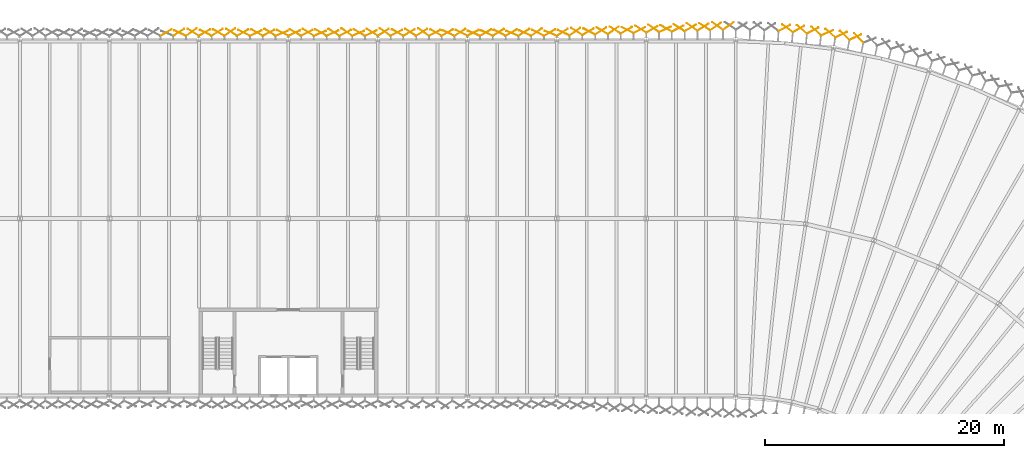
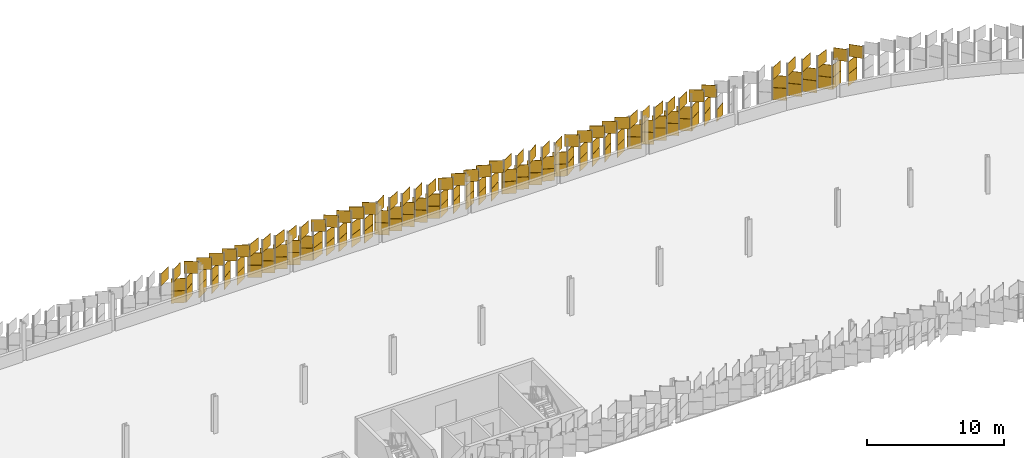
# One storey, part 197 of 198: 149 coverings.
"""IFC4 building model written with IfcOpenShell, lengths in metres."""

from ifc_helpers import new_model, si_unit, direction, frame, origin, origin_2d, place, context, subcontext, project, spatial, rectangle, extrude, material, layer, layer_set, type_object, element, save


model = new_model("IFC4")

# Units and contexts
model_context = context("Model", 3, precision=1e-05, world=origin(), true_north=direction((0.0, 1.0)))
body_context = subcontext(model_context, "Body", "Model", "MODEL_VIEW")
ifc_project = project(units=[si_unit("LENGTHUNIT", "METRE"), si_unit("AREAUNIT", "SQUARE_METRE"), si_unit("VOLUMEUNIT", "CUBIC_METRE"), si_unit("PLANEANGLEUNIT", "RADIAN"), si_unit("MASSUNIT", "GRAM", prefix="KILO")], contexts=[model_context])

# Site, building, storey
site_placement = place(None, origin())
site = spatial("IfcSite", under=ifc_project, at=site_placement, CompositionType="ELEMENT")
building_placement = place(site_placement, origin())
building = spatial("IfcBuilding", under=site, at=building_placement, Name="Parallax Yard Mobility Hub", CompositionType="ELEMENT")
storey_placement = place(building_placement, frame((0.0, 0.0, 6.60009765625)))
storey = spatial("IfcBuildingStorey", under=building, at=storey_placement, Name="L02", CompositionType="ELEMENT", Elevation=6.60009765625)

# Coverings
ifc_material_1 = material(Name="Aluminium panel, champagne finish", Category="aluminium")
ifc_layer_1 = layer(ifc_material_1, 0.030029296875)
ifc_layer_set_1 = layer_set([ifc_layer_1], Name="Skin panel 22.5 degree turn, champagne finish")
covering_type_1 = type_object("IfcCoveringType", Name="Skin panel 22.5 degree turn, champagne finish", PredefinedType="CLADDING", material=ifc_layer_set_1)
for number, where, z_axis, x_axis, name in (
    (1, (156.986083984375, 143.012939453125, 1.119873046875), (0.0, 0.0, 1.0), (-0.923879532511, 0.382683432365, 0.0), "Skin panel 22.5 bay 53.1 row 2 level L02"),
    (2, (153.771484375, 143.012939453125, 1.119873046875), (0.0, 0.0, 1.0), (-0.923879532511, 0.382683432365, 0.0), "Skin panel 22.5 bay 53.4 row 2 level L02"),
    (3, (150.556884765625, 143.012939453125, 2.219970703125), (0.0, 0.0, 1.0), (-0.923879532511, 0.382683432365, 0.0), "Skin panel 22.5 bay 53.7 row 3 level L02"),
    (4, (140.869140625, 143.012939453125, 1.119873046875), (0.0, 0.0, 1.0), (0.923879532511, 0.382683432365, 0.0), "Skin panel 22.5 bay 55.2 row 2 level L02"),
    (5, (137.654541015625, 143.012939453125, 1.119873046875), (0.0, 0.0, 1.0), (0.923879532511, 0.382683432365, 0.0), "Skin panel 22.5 bay 55.5 row 2 level L02"),
    (6, (134.43994140625, 143.012939453125, 2.219970703125), (0.0, 0.0, 1.0), (0.923879532511, 0.382683432365, 0.0), "Skin panel 22.5 bay 56.1 row 3 level L02"),
):
    element("IfcCovering", number, at=place(storey_placement, frame(where, z_axis=z_axis, x_axis=x_axis)), inside=storey, type_object=covering_type_1, Name=name, ObjectType="SCREEN", PredefinedType="CLADDING", context=body_context, shape_type="SweptSolid", body=[
        extrude(rectangle(XDim=1.080078125, YDim=0.030029296875, at=origin_2d()), origin(), (0.0, 0.0, 1.0), 1.080078125),
    ])
ifc_material_2 = material(Name="Aluminium panel, light oak finish", Category="aluminium")
ifc_layer_2 = layer(ifc_material_2, 0.030029296875)
ifc_layer_set_2 = layer_set([ifc_layer_2], Name="Skin panel 22.5 degree turn, oak finish")
covering_type_2 = type_object("IfcCoveringType", Name="Skin panel 22.5 degree turn, oak finish", PredefinedType="CLADDING", material=ifc_layer_set_2)
for number, where, z_axis, x_axis, name in (
    (7, (156.986083984375, 143.012939453125, 0.019775390625), (0.0, 0.0, 1.0), (-0.923879532511, 0.382683432365, 0.0), "Skin panel 22.5 bay 53.1 row 1 level L02"),
    (8, (153.771484375, 143.012939453125, 0.019775390625), (0.0, 0.0, 1.0), (-0.923879532511, 0.382683432365, 0.0), "Skin panel 22.5 bay 53.4 row 1 level L02"),
    (9, (140.869140625, 143.012939453125, 0.019775390625), (0.0, 0.0, 1.0), (0.923879532511, 0.382683432365, 0.0), "Skin panel 22.5 bay 55.2 row 1 level L02"),
    (10, (137.654541015625, 143.012939453125, 0.019775390625), (0.0, 0.0, 1.0), (0.923879532511, 0.382683432365, 0.0), "Skin panel 22.5 bay 55.5 row 1 level L02"),
):
    element("IfcCovering", number, at=place(storey_placement, frame(where, z_axis=z_axis, x_axis=x_axis)), inside=storey, type_object=covering_type_2, Name=name, ObjectType="SCREEN", PredefinedType="CLADDING", context=body_context, shape_type="SweptSolid", body=[
        extrude(rectangle(XDim=1.080078125, YDim=0.030029296875, at=origin_2d()), origin(), (0.0, 0.0, 1.0), 1.080078125),
    ])
ifc_layer_3 = layer(ifc_material_1, 0.030029296875)
ifc_layer_set_3 = layer_set([ifc_layer_3], Name="Skin panel 25 degree turn, champagne finish")
covering_type_3 = type_object("IfcCoveringType", Name="Skin panel 25 degree turn, champagne finish", PredefinedType="CLADDING", material=ifc_layer_set_3)
for number, where, z_axis, x_axis, name in (
    (11, (166.576904296875, 143.346435546875, 2.219970703125), (0.0, 0.0, 1.0), (0.906307787037, 0.422618261741, 0.0), "Skin panel 25 bay 51.6 row 3 level L02"),
    (12, (158.0673828125, 143.06591796875, 1.119873046875), (0.0, 0.0, 1.0), (-0.906307787037, 0.422618261741, 0.0), "Skin panel 25 bay 52.7 row 2 level L02"),
    (13, (154.852783203125, 143.03515625, 1.119873046875), (0.0, 0.0, 1.0), (-0.906307787037, 0.422618261741, 0.0), "Skin panel 25 bay 53.3 row 2 level L02"),
    (14, (151.63818359375, 143.03515625, 2.219970703125), (0.0, 0.0, 1.0), (-0.906307787037, 0.422618261741, 0.0), "Skin panel 25 bay 53.6 row 3 level L02"),
    (15, (148.42333984375, 143.03515625, 2.219970703125), (0.0, 0.0, 1.0), (-0.906307787037, 0.422618261741, 0.0), "Skin panel 25 bay 54.2 row 3 level L02"),
    (16, (141.930908203125, 143.03515625, 1.119873046875), (0.0, 0.0, 1.0), (0.906307787037, 0.422618261741, 0.0), "Skin panel 25 bay 55.1 row 2 level L02"),
    (17, (138.71630859375, 143.03515625, 1.119873046875), (0.0, 0.0, 1.0), (0.906307787037, 0.422618261741, 0.0), "Skin panel 25 bay 55.4 row 2 level L02"),
    (18, (135.501708984375, 143.03515625, 2.219970703125), (0.0, 0.0, 1.0), (0.906307787037, 0.422618261741, 0.0), "Skin panel 25 bay 55.7 row 3 level L02"),
    (19, (132.287109375, 143.03515625, 2.219970703125), (0.0, 0.0, 1.0), (0.906307787037, 0.422618261741, 0.0), "Skin panel 25 bay 56.3 row 3 level L02"),
    (20, (125.9208984375, 143.03515625, 1.119873046875), (0.0, 0.0, 1.0), (-0.906307787037, 0.422618261741, 0.0), "Skin panel 25 bay 57.2 row 2 level L02"),
):
    element("IfcCovering", number, at=place(storey_placement, frame(where, z_axis=z_axis, x_axis=x_axis)), inside=storey, type_object=covering_type_3, Name=name, ObjectType="SCREEN", PredefinedType="CLADDING", context=body_context, shape_type="SweptSolid", body=[
        extrude(rectangle(XDim=1.080078125, YDim=0.030029296875, at=origin_2d()), origin(), (0.0, 0.0, 1.0), 1.080078125),
    ])
ifc_layer_4 = layer(ifc_material_2, 0.030029296875)
ifc_layer_set_4 = layer_set([ifc_layer_4], Name="Skin panel 25 degree turn, oak finish")
covering_type_4 = type_object("IfcCoveringType", Name="Skin panel 25 degree turn, oak finish", PredefinedType="CLADDING", material=ifc_layer_set_4)
for number, where, z_axis, x_axis, name in (
    (21, (158.0673828125, 143.06591796875, 0.019775390625), (0.0, 0.0, 1.0), (-0.906307787037, 0.422618261741, 0.0), "Skin panel 25 bay 52.7 row 1 level L02"),
    (22, (154.852783203125, 143.03515625, 0.019775390625), (0.0, 0.0, 1.0), (-0.906307787037, 0.422618261741, 0.0), "Skin panel 25 bay 53.3 row 1 level L02"),
    (23, (141.930908203125, 143.03515625, 0.019775390625), (0.0, 0.0, 1.0), (0.906307787037, 0.422618261741, 0.0), "Skin panel 25 bay 55.1 row 1 level L02"),
    (24, (138.71630859375, 143.03515625, 0.019775390625), (0.0, 0.0, 1.0), (0.906307787037, 0.422618261741, 0.0), "Skin panel 25 bay 55.4 row 1 level L02"),
    (25, (125.9208984375, 143.03515625, 0.019775390625), (0.0, 0.0, 1.0), (-0.906307787037, 0.422618261741, 0.0), "Skin panel 25 bay 57.2 row 1 level L02"),
):
    element("IfcCovering", number, at=place(storey_placement, frame(where, z_axis=z_axis, x_axis=x_axis)), inside=storey, type_object=covering_type_4, Name=name, ObjectType="SCREEN", PredefinedType="CLADDING", context=body_context, shape_type="SweptSolid", body=[
        extrude(rectangle(XDim=1.080078125, YDim=0.030029296875, at=origin_2d()), origin(), (0.0, 0.0, 1.0), 1.080078125),
    ])
ifc_layer_5 = layer(ifc_material_1, 0.030029296875)
ifc_layer_set_5 = layer_set([ifc_layer_5], Name="Skin panel 27.5 degree turn, champagne finish")
covering_type_5 = type_object("IfcCoveringType", Name="Skin panel 27.5 degree turn, champagne finish", PredefinedType="CLADDING", material=ifc_layer_set_5)
for number, where, z_axis, x_axis, name in (
    (26, (167.6376953125, 143.408203125, 2.219970703125), (0.0, 0.0, 1.0), (0.887010833178, 0.461748613235, 0.0), "Skin panel 27.5 bay 51.5 row 3 level L02"),
    (27, (164.4228515625, 143.2880859375, 2.219970703125), (0.0, 0.0, 1.0), (0.887010833178, 0.461748613235, 0.0), "Skin panel 27.5 bay 52.1 row 3 level L02"),
    (28, (163.435791015625, 143.2880859375, 2.219970703125), (0.0, 0.0, 1.0), (-0.887010833178, 0.461748613235, 0.0), "Skin panel 27.5 bay 52.2 row 3 level L02"),
    (29, (160.22119140625, 143.167724609375, 2.219970703125), (0.0, 0.0, 1.0), (-0.887010833178, 0.461748613235, 0.0), "Skin panel 27.5 bay 52.5 row 3 level L02"),
    (30, (155.93505859375, 143.056884765625, 1.119873046875), (0.0, 0.0, 1.0), (-0.887010833178, 0.461748613235, 0.0), "Skin panel 27.5 bay 53.2 row 2 level L02"),
    (31, (152.720458984375, 143.056884765625, 2.219970703125), (0.0, 0.0, 1.0), (-0.887010833178, 0.461748613235, 0.0), "Skin panel 27.5 bay 53.5 row 3 level L02"),
    (32, (150.49267578125, 143.056884765625, 1.119873046875), (0.0, 0.0, 1.0), (0.887010833178, 0.461748613235, 0.0), "Skin panel 27.5 bay 53.7 row 2 level L02"),
    (33, (149.505615234375, 143.056884765625, 2.219970703125), (0.0, 0.0, 1.0), (-0.887010833178, 0.461748613235, 0.0), "Skin panel 27.5 bay 54.1 row 3 level L02"),
    (34, (147.278076171875, 143.056884765625, 2.219970703125), (0.0, 0.0, 1.0), (0.887010833178, 0.461748613235, 0.0), "Skin panel 27.5 bay 54.3 row 3 level L02"),
    (35, (144.0634765625, 143.056884765625, 2.219970703125), (0.0, 0.0, 1.0), (0.887010833178, 0.461748613235, 0.0), "Skin panel 27.5 bay 54.6 row 3 level L02"),
    (36, (139.777099609375, 143.056884765625, 1.119873046875), (0.0, 0.0, 1.0), (0.887010833178, 0.461748613235, 0.0), "Skin panel 27.5 bay 55.3 row 2 level L02"),
    (37, (136.5625, 143.056884765625, 2.219970703125), (0.0, 0.0, 1.0), (0.887010833178, 0.461748613235, 0.0), "Skin panel 27.5 bay 55.6 row 3 level L02"),
    (38, (134.50390625, 143.056884765625, 1.119873046875), (0.0, 0.0, 1.0), (-0.887010833178, 0.461748613235, 0.0), "Skin panel 27.5 bay 56.1 row 2 level L02"),
    (39, (133.347900390625, 143.056884765625, 2.219970703125), (0.0, 0.0, 1.0), (0.887010833178, 0.461748613235, 0.0), "Skin panel 27.5 bay 56.2 row 3 level L02"),
    (40, (131.289306640625, 143.056884765625, 2.219970703125), (0.0, 0.0, 1.0), (-0.887010833178, 0.461748613235, 0.0), "Skin panel 27.5 bay 56.4 row 3 level L02"),
    (41, (128.07470703125, 143.056884765625, 2.219970703125), (0.0, 0.0, 1.0), (-0.887010833178, 0.461748613235, 0.0), "Skin panel 27.5 bay 56.7 row 3 level L02"),
):
    element("IfcCovering", number, at=place(storey_placement, frame(where, z_axis=z_axis, x_axis=x_axis)), inside=storey, type_object=covering_type_5, Name=name, ObjectType="SCREEN", PredefinedType="CLADDING", context=body_context, shape_type="SweptSolid", body=[
        extrude(rectangle(XDim=1.080078125, YDim=0.030029296875, at=origin_2d()), origin(), (0.0, 0.0, 1.0), 1.080078125),
    ])
ifc_layer_6 = layer(ifc_material_2, 0.030029296875)
ifc_layer_set_6 = layer_set([ifc_layer_6], Name="Skin panel 27.5 degree turn, oak finish")
covering_type_6 = type_object("IfcCoveringType", Name="Skin panel 27.5 degree turn, oak finish", PredefinedType="CLADDING", material=ifc_layer_set_6)
for number, where, z_axis, x_axis, name in (
    (42, (155.93505859375, 143.056884765625, 0.019775390625), (0.0, 0.0, 1.0), (-0.887010833178, 0.461748613235, 0.0), "Skin panel 27.5 bay 53.2 row 1 level L02"),
    (43, (150.49267578125, 143.056884765625, 0.019775390625), (0.0, 0.0, 1.0), (0.887010833178, 0.461748613235, 0.0), "Skin panel 27.5 bay 53.7 row 1 level L02"),
    (44, (139.777099609375, 143.056884765625, 0.019775390625), (0.0, 0.0, 1.0), (0.887010833178, 0.461748613235, 0.0), "Skin panel 27.5 bay 55.3 row 1 level L02"),
    (45, (134.50390625, 143.056884765625, 0.019775390625), (0.0, 0.0, 1.0), (-0.887010833178, 0.461748613235, 0.0), "Skin panel 27.5 bay 56.1 row 1 level L02"),
):
    element("IfcCovering", number, at=place(storey_placement, frame(where, z_axis=z_axis, x_axis=x_axis)), inside=storey, type_object=covering_type_6, Name=name, ObjectType="SCREEN", PredefinedType="CLADDING", context=body_context, shape_type="SweptSolid", body=[
        extrude(rectangle(XDim=1.080078125, YDim=0.030029296875, at=origin_2d()), origin(), (0.0, 0.0, 1.0), 1.080078125),
    ])
ifc_layer_7 = layer(ifc_material_1, 0.030029296875)
ifc_layer_set_7 = layer_set([ifc_layer_7], Name="Skin panel 30 degree turn, champagne finish")
covering_type_7 = type_object("IfcCoveringType", Name="Skin panel 30 degree turn, champagne finish", PredefinedType="CLADDING", material=ifc_layer_set_7)
for number, where, z_axis, x_axis, name in (
    (46, (168.697509765625, 143.4697265625, 2.219970703125), (0.0, 0.0, 1.0), (0.866025403784, 0.5, 0.0), "Skin panel 30 bay 51.4 row 3 level L02"),
    (47, (166.662353515625, 143.4296875, 1.119873046875), (0.0, 0.0, 1.0), (-0.866025403784, 0.5, 0.0), "Skin panel 30 bay 51.6 row 2 level L02"),
    (48, (165.48291015625, 143.349365234375, 2.219970703125), (0.0, 0.0, 1.0), (0.866025403784, 0.5, 0.0), "Skin panel 30 bay 51.7 row 3 level L02"),
    (49, (163.339599609375, 143.269287109375, 1.119873046875), (0.0, 0.0, 1.0), (0.866025403784, 0.5, 0.0), "Skin panel 30 bay 52.2 row 2 level L02"),
    (50, (161.304443359375, 143.229248046875, 2.219970703125), (0.0, 0.0, 1.0), (-0.866025403784, 0.5, 0.0), "Skin panel 30 bay 52.4 row 3 level L02"),
    (51, (160.125, 143.14892578125, 1.119873046875), (0.0, 0.0, 1.0), (0.866025403784, 0.5, 0.0), "Skin panel 30 bay 52.5 row 2 level L02"),
    (52, (156.910400390625, 143.078125, 2.219970703125), (0.0, 0.0, 1.0), (0.866025403784, 0.5, 0.0), "Skin panel 30 bay 53.1 row 3 level L02"),
    (53, (153.69580078125, 143.078125, 2.219970703125), (0.0, 0.0, 1.0), (0.866025403784, 0.5, 0.0), "Skin panel 30 bay 53.4 row 3 level L02"),
    (54, (151.552490234375, 143.078125, 1.119873046875), (0.0, 0.0, 1.0), (0.866025403784, 0.5, 0.0), "Skin panel 30 bay 53.6 row 2 level L02"),
    (55, (148.337890625, 143.078125, 1.119873046875), (0.0, 0.0, 1.0), (0.866025403784, 0.5, 0.0), "Skin panel 30 bay 54.2 row 2 level L02"),
    (56, (147.374267578125, 143.078125, 1.119873046875), (0.0, 0.0, 1.0), (-0.866025403784, 0.5, 0.0), "Skin panel 30 bay 54.3 row 2 level L02"),
    (57, (145.123291015625, 143.078125, 2.219970703125), (0.0, 0.0, 1.0), (0.866025403784, 0.5, 0.0), "Skin panel 30 bay 54.5 row 3 level L02"),
    (58, (144.15966796875, 143.078125, 1.119873046875), (0.0, 0.0, 1.0), (-0.866025403784, 0.5, 0.0), "Skin panel 30 bay 54.6 row 2 level L02"),
    (59, (140.94482421875, 143.078125, 2.219970703125), (0.0, 0.0, 1.0), (-0.866025403784, 0.5, 0.0), "Skin panel 30 bay 55.2 row 3 level L02"),
    (60, (137.730224609375, 143.078125, 2.219970703125), (0.0, 0.0, 1.0), (-0.866025403784, 0.5, 0.0), "Skin panel 30 bay 55.5 row 3 level L02"),
    (61, (135.587158203125, 143.078125, 1.119873046875), (0.0, 0.0, 1.0), (-0.866025403784, 0.5, 0.0), "Skin panel 30 bay 55.7 row 2 level L02"),
    (62, (132.37255859375, 143.078125, 1.119873046875), (0.0, 0.0, 1.0), (-0.866025403784, 0.5, 0.0), "Skin panel 30 bay 56.3 row 2 level L02"),
    (63, (131.193115234375, 143.078125, 1.119873046875), (0.0, 0.0, 1.0), (0.866025403784, 0.5, 0.0), "Skin panel 30 bay 56.4 row 2 level L02"),
    (64, (129.15771484375, 143.078125, 2.219970703125), (0.0, 0.0, 1.0), (-0.866025403784, 0.5, 0.0), "Skin panel 30 bay 56.6 row 3 level L02"),
    (65, (127.978515625, 143.078125, 1.119873046875), (0.0, 0.0, 1.0), (0.866025403784, 0.5, 0.0), "Skin panel 30 bay 56.7 row 2 level L02"),
    (66, (124.763671875, 143.078125, 2.219970703125), (0.0, 0.0, 1.0), (0.866025403784, 0.5, 0.0), "Skin panel 30 bay 57.3 row 3 level L02"),
):
    element("IfcCovering", number, at=place(storey_placement, frame(where, z_axis=z_axis, x_axis=x_axis)), inside=storey, type_object=covering_type_7, Name=name, ObjectType="SCREEN", PredefinedType="CLADDING", context=body_context, shape_type="SweptSolid", body=[
        extrude(rectangle(XDim=1.080078125, YDim=0.030029296875, at=origin_2d()), origin(), (0.0, 0.0, 1.0), 1.080078125),
    ])
ifc_layer_8 = layer(ifc_material_2, 0.030029296875)
ifc_layer_set_8 = layer_set([ifc_layer_8], Name="Skin panel 30 degree turn, oak finish")
covering_type_8 = type_object("IfcCoveringType", Name="Skin panel 30 degree turn, oak finish", PredefinedType="CLADDING", material=ifc_layer_set_8)
for number, where, z_axis, x_axis, name in (
    (67, (166.662353515625, 143.4296875, 0.019775390625), (0.0, 0.0, 1.0), (-0.866025403784, 0.5, 0.0), "Skin panel 30 bay 51.6 row 1 level L02"),
    (68, (163.339599609375, 143.269287109375, 0.019775390625), (0.0, 0.0, 1.0), (0.866025403784, 0.5, 0.0), "Skin panel 30 bay 52.2 row 1 level L02"),
    (69, (160.125, 143.14892578125, 0.019775390625), (0.0, 0.0, 1.0), (0.866025403784, 0.5, 0.0), "Skin panel 30 bay 52.5 row 1 level L02"),
    (70, (151.552490234375, 143.078125, 0.019775390625), (0.0, 0.0, 1.0), (0.866025403784, 0.5, 0.0), "Skin panel 30 bay 53.6 row 1 level L02"),
    (71, (148.337890625, 143.078125, 0.019775390625), (0.0, 0.0, 1.0), (0.866025403784, 0.5, 0.0), "Skin panel 30 bay 54.2 row 1 level L02"),
    (72, (147.374267578125, 143.078125, 0.019775390625), (0.0, 0.0, 1.0), (-0.866025403784, 0.5, 0.0), "Skin panel 30 bay 54.3 row 1 level L02"),
    (73, (144.15966796875, 143.078125, 0.019775390625), (0.0, 0.0, 1.0), (-0.866025403784, 0.5, 0.0), "Skin panel 30 bay 54.6 row 1 level L02"),
    (74, (135.587158203125, 143.078125, 0.019775390625), (0.0, 0.0, 1.0), (-0.866025403784, 0.5, 0.0), "Skin panel 30 bay 55.7 row 1 level L02"),
    (75, (132.37255859375, 143.078125, 0.019775390625), (0.0, 0.0, 1.0), (-0.866025403784, 0.5, 0.0), "Skin panel 30 bay 56.3 row 1 level L02"),
    (76, (131.193115234375, 143.078125, 0.019775390625), (0.0, 0.0, 1.0), (0.866025403784, 0.5, 0.0), "Skin panel 30 bay 56.4 row 1 level L02"),
    (77, (127.978515625, 143.078125, 0.019775390625), (0.0, 0.0, 1.0), (0.866025403784, 0.5, 0.0), "Skin panel 30 bay 56.7 row 1 level L02"),
):
    element("IfcCovering", number, at=place(storey_placement, frame(where, z_axis=z_axis, x_axis=x_axis)), inside=storey, type_object=covering_type_8, Name=name, ObjectType="SCREEN", PredefinedType="CLADDING", context=body_context, shape_type="SweptSolid", body=[
        extrude(rectangle(XDim=1.080078125, YDim=0.030029296875, at=origin_2d()), origin(), (0.0, 0.0, 1.0), 1.080078125),
    ])
ifc_layer_9 = layer(ifc_material_1, 0.030029296875)
ifc_layer_set_9 = layer_set([ifc_layer_9], Name="Skin panel 32.5 degree turn, champagne finish")
covering_type_9 = type_object("IfcCoveringType", Name="Skin panel 32.5 degree turn, champagne finish", PredefinedType="CLADDING", material=ifc_layer_set_9)
for number, where, z_axis, x_axis, name in (
    (78, (180.424560546875, 143.030517578125, 1.119873046875), (0.0, 0.0, 1.0), (-0.748955720789, 0.662620048216, 0.0), "Skin panel 32.5 bay 50.1 row 2 level L02"),
    (79, (180.164794921875, 143.05908203125, 2.219970703125), (0.0, 0.0, 1.0), (0.917060074385, 0.398749068925, 0.0), "Skin panel 32.5 bay 50.1 row 3 level L02"),
    (80, (176.83935546875, 143.4375, 1.119873046875), (0.0, 0.0, 1.0), (-0.802912160458, 0.596097359991, 0.0), "Skin panel 32.5 bay 50.4 row 2 level L02"),
    (81, (176.579345703125, 143.462646484375, 2.219970703125), (0.0, 0.0, 1.0), (0.879573020775, 0.475763913222, 0.0), "Skin panel 32.5 bay 50.4 row 3 level L02"),
    (82, (169.75634765625, 143.530517578125, 1.119873046875), (0.0, 0.0, 1.0), (0.843391445813, 0.537299608347, 0.0), "Skin panel 32.5 bay 51.3 row 2 level L02"),
    (83, (169.889404296875, 143.570556640625, 2.219970703125), (0.0, 0.0, 1.0), (-0.843391445813, 0.537299608347, 0.0), "Skin panel 32.5 bay 51.3 row 3 level L02"),
    (84, (167.746337890625, 143.490478515625, 1.119873046875), (0.0, 0.0, 1.0), (-0.843391445813, 0.537299608347, 0.0), "Skin panel 32.5 bay 51.5 row 2 level L02"),
    (85, (164.53173828125, 143.3701171875, 1.119873046875), (0.0, 0.0, 1.0), (-0.843391445813, 0.537299608347, 0.0), "Skin panel 32.5 bay 52.1 row 2 level L02"),
    (86, (162.388671875, 143.2900390625, 2.219970703125), (0.0, 0.0, 1.0), (-0.843391445813, 0.537299608347, 0.0), "Skin panel 32.5 bay 52.3 row 3 level L02"),
    (87, (161.18408203125, 143.209716796875, 1.119873046875), (0.0, 0.0, 1.0), (0.843391445813, 0.537299608347, 0.0), "Skin panel 32.5 bay 52.4 row 2 level L02"),
    (88, (159.174072265625, 143.169677734375, 2.219970703125), (0.0, 0.0, 1.0), (-0.843391445813, 0.537299608347, 0.0), "Skin panel 32.5 bay 52.6 row 3 level L02"),
    (89, (157.96923828125, 143.098876953125, 2.219970703125), (0.0, 0.0, 1.0), (0.843391445813, 0.537299608347, 0.0), "Skin panel 32.5 bay 52.7 row 3 level L02"),
    (90, (154.754638671875, 143.098876953125, 2.219970703125), (0.0, 0.0, 1.0), (0.843391445813, 0.537299608347, 0.0), "Skin panel 32.5 bay 53.3 row 3 level L02"),
    (91, (152.611572265625, 143.098876953125, 1.119873046875), (0.0, 0.0, 1.0), (0.843391445813, 0.537299608347, 0.0), "Skin panel 32.5 bay 53.5 row 2 level L02"),
    (92, (149.39697265625, 143.098876953125, 1.119873046875), (0.0, 0.0, 1.0), (0.843391445813, 0.537299608347, 0.0), "Skin panel 32.5 bay 54.1 row 2 level L02"),
    (93, (146.18212890625, 143.098876953125, 2.219970703125), (0.0, 0.0, 1.0), (0.843391445813, 0.537299608347, 0.0), "Skin panel 32.5 bay 54.4 row 3 level L02"),
    (94, (145.243896484375, 143.098876953125, 1.119873046875), (0.0, 0.0, 1.0), (-0.843391445813, 0.537299608347, 0.0), "Skin panel 32.5 bay 54.5 row 2 level L02"),
    (95, (142.967529296875, 143.098876953125, 2.219970703125), (0.0, 0.0, 1.0), (0.843391445813, 0.537299608347, 0.0), "Skin panel 32.5 bay 54.7 row 3 level L02"),
    (96, (142.029052734375, 143.098876953125, 2.219970703125), (0.0, 0.0, 1.0), (-0.843391445813, 0.537299608347, 0.0), "Skin panel 32.5 bay 55.1 row 3 level L02"),
    (97, (138.814453125, 143.098876953125, 2.219970703125), (0.0, 0.0, 1.0), (-0.843391445813, 0.537299608347, 0.0), "Skin panel 32.5 bay 55.4 row 3 level L02"),
    (98, (136.67138671875, 143.098876953125, 1.119873046875), (0.0, 0.0, 1.0), (-0.843391445813, 0.537299608347, 0.0), "Skin panel 32.5 bay 55.6 row 2 level L02"),
    (99, (133.456787109375, 143.098876953125, 1.119873046875), (0.0, 0.0, 1.0), (-0.843391445813, 0.537299608347, 0.0), "Skin panel 32.5 bay 56.2 row 2 level L02"),
    (100, (130.241943359375, 143.098876953125, 2.219970703125), (0.0, 0.0, 1.0), (-0.843391445813, 0.537299608347, 0.0), "Skin panel 32.5 bay 56.5 row 3 level L02"),
    (101, (129.037353515625, 143.098876953125, 1.119873046875), (0.0, 0.0, 1.0), (0.843391445813, 0.537299608347, 0.0), "Skin panel 32.5 bay 56.6 row 2 level L02"),
    (102, (127.02734375, 143.098876953125, 2.219970703125), (0.0, 0.0, 1.0), (-0.843391445813, 0.537299608347, 0.0), "Skin panel 32.5 bay 57.1 row 3 level L02"),
    (103, (125.822509765625, 143.098876953125, 2.219970703125), (0.0, 0.0, 1.0), (0.843391445813, 0.537299608347, 0.0), "Skin panel 32.5 bay 57.2 row 3 level L02"),
):
    element("IfcCovering", number, at=place(storey_placement, frame(where, z_axis=z_axis, x_axis=x_axis)), inside=storey, type_object=covering_type_9, Name=name, ObjectType="SCREEN", PredefinedType="CLADDING", context=body_context, shape_type="SweptSolid", body=[
        extrude(rectangle(XDim=1.080078125, YDim=0.030029296875, at=origin_2d()), origin(), (0.0, 0.0, 1.0), 1.080078125),
    ])
ifc_layer_10 = layer(ifc_material_2, 0.030029296875)
ifc_layer_set_10 = layer_set([ifc_layer_10], Name="Skin panel 32.5 degree turn, oak finish")
covering_type_10 = type_object("IfcCoveringType", Name="Skin panel 32.5 degree turn, oak finish", PredefinedType="CLADDING", material=ifc_layer_set_10)
for number, where, z_axis, x_axis, name in (
    (104, (180.424560546875, 143.030517578125, 0.019775390625), (0.0, 0.0, 1.0), (-0.748955720789, 0.662620048216, 0.0), "Skin panel 32.5 bay 50.1 row 1 level L02"),
    (105, (176.83935546875, 143.4375, 0.019775390625), (0.0, 0.0, 1.0), (-0.802912160458, 0.596097359991, 0.0), "Skin panel 32.5 bay 50.4 row 1 level L02"),
    (106, (169.75634765625, 143.530517578125, 0.019775390625), (0.0, 0.0, 1.0), (0.843391445813, 0.537299608347, 0.0), "Skin panel 32.5 bay 51.3 row 1 level L02"),
    (107, (167.746337890625, 143.490478515625, 0.019775390625), (0.0, 0.0, 1.0), (-0.843391445813, 0.537299608347, 0.0), "Skin panel 32.5 bay 51.5 row 1 level L02"),
    (108, (164.53173828125, 143.3701171875, 0.019775390625), (0.0, 0.0, 1.0), (-0.843391445813, 0.537299608347, 0.0), "Skin panel 32.5 bay 52.1 row 1 level L02"),
    (109, (161.18408203125, 143.209716796875, 0.019775390625), (0.0, 0.0, 1.0), (0.843391445813, 0.537299608347, 0.0), "Skin panel 32.5 bay 52.4 row 1 level L02"),
    (110, (152.611572265625, 143.098876953125, 0.019775390625), (0.0, 0.0, 1.0), (0.843391445813, 0.537299608347, 0.0), "Skin panel 32.5 bay 53.5 row 1 level L02"),
    (111, (149.39697265625, 143.098876953125, 0.019775390625), (0.0, 0.0, 1.0), (0.843391445813, 0.537299608347, 0.0), "Skin panel 32.5 bay 54.1 row 1 level L02"),
    (112, (145.243896484375, 143.098876953125, 0.019775390625), (0.0, 0.0, 1.0), (-0.843391445813, 0.537299608347, 0.0), "Skin panel 32.5 bay 54.5 row 1 level L02"),
    (113, (136.67138671875, 143.098876953125, 0.019775390625), (0.0, 0.0, 1.0), (-0.843391445813, 0.537299608347, 0.0), "Skin panel 32.5 bay 55.6 row 1 level L02"),
    (114, (133.456787109375, 143.098876953125, 0.019775390625), (0.0, 0.0, 1.0), (-0.843391445813, 0.537299608347, 0.0), "Skin panel 32.5 bay 56.2 row 1 level L02"),
    (115, (129.037353515625, 143.098876953125, 0.019775390625), (0.0, 0.0, 1.0), (0.843391445813, 0.537299608347, 0.0), "Skin panel 32.5 bay 56.6 row 1 level L02"),
):
    element("IfcCovering", number, at=place(storey_placement, frame(where, z_axis=z_axis, x_axis=x_axis)), inside=storey, type_object=covering_type_10, Name=name, ObjectType="SCREEN", PredefinedType="CLADDING", context=body_context, shape_type="SweptSolid", body=[
        extrude(rectangle(XDim=1.080078125, YDim=0.030029296875, at=origin_2d()), origin(), (0.0, 0.0, 1.0), 1.080078125),
    ])
ifc_layer_11 = layer(ifc_material_1, 0.030029296875)
ifc_layer_set_11 = layer_set([ifc_layer_11], Name="Skin panel 35 degree turn, champagne finish")
covering_type_11 = type_object("IfcCoveringType", Name="Skin panel 35 degree turn, champagne finish", PredefinedType="CLADDING", material=ifc_layer_set_11)
for number, where, z_axis, x_axis, name in (
    (116, (182.53076171875, 142.69140625, 1.119873046875), (0.0, 0.0, 1.0), (0.910945922191, 0.412525789307, 0.0), "Skin panel 35 bay 49.6 row 2 level L02"),
    (117, (182.8134765625, 142.635009765625, 2.219970703125), (0.0, 0.0, 1.0), (-0.699209294965, 0.714917031434, 0.0), "Skin panel 35 bay 49.6 row 3 level L02"),
    (118, (181.34130859375, 142.906005859375, 1.119873046875), (0.0, 0.0, 1.0), (0.898794046299, 0.438371146789, 0.0), "Skin panel 35 bay 49.7 row 2 level L02"),
    (119, (181.623779296875, 142.848388671875, 2.219970703125), (0.0, 0.0, 1.0), (-0.719339800339, 0.694658370459, 0.0), "Skin panel 35 bay 49.7 row 3 level L02"),
    (120, (179.24365234375, 143.212158203125, 1.119873046875), (0.0, 0.0, 1.0), (-0.738883575779, 0.673833110974, 0.0), "Skin panel 35 bay 50.2 row 2 level L02"),
    (121, (178.95751953125, 143.245849609375, 2.219970703125), (0.0, 0.0, 1.0), (0.885909068512, 0.463858946586, 0.0), "Skin panel 35 bay 50.2 row 3 level L02"),
    (122, (178.04296875, 143.3505859375, 1.119873046875), (0.0, 0.0, 1.0), (-0.757823541638, 0.652459561766, 0.0), "Skin panel 35 bay 50.3 row 2 level L02"),
    (123, (177.771240234375, 143.3779296875, 2.219970703125), (0.0, 0.0, 1.0), (0.872302351879, 0.488966877106, 0.0), "Skin panel 35 bay 50.3 row 3 level L02"),
    (124, (170.814453125, 143.5908203125, 1.119873046875), (0.0, 0.0, 1.0), (0.819152044289, 0.573576436351, 0.0), "Skin panel 35 bay 51.2 row 2 level L02"),
    (125, (170.974609375, 143.630859375, 2.219970703125), (0.0, 0.0, 1.0), (-0.819152044289, 0.573576436351, 0.0), "Skin panel 35 bay 51.2 row 3 level L02"),
    (126, (168.83154296875, 143.55078125, 1.119873046875), (0.0, 0.0, 1.0), (-0.819152044289, 0.573576436351, 0.0), "Skin panel 35 bay 51.4 row 2 level L02"),
    (127, (165.61669921875, 143.430419921875, 1.119873046875), (0.0, 0.0, 1.0), (-0.819152044289, 0.573576436351, 0.0), "Skin panel 35 bay 51.7 row 2 level L02"),
    (128, (162.241943359375, 143.27001953125, 1.119873046875), (0.0, 0.0, 1.0), (0.819152044289, 0.573576436351, 0.0), "Skin panel 35 bay 52.3 row 2 level L02"),
    (129, (159.02734375, 143.14990234375, 1.119873046875), (0.0, 0.0, 1.0), (0.819152044289, 0.573576436351, 0.0), "Skin panel 35 bay 52.6 row 2 level L02"),
    (130, (155.812744140625, 143.119140625, 2.219970703125), (0.0, 0.0, 1.0), (0.819152044289, 0.573576436351, 0.0), "Skin panel 35 bay 53.2 row 3 level L02"),
    (131, (146.328857421875, 143.119140625, 1.119873046875), (0.0, 0.0, 1.0), (-0.819152044289, 0.573576436351, 0.0), "Skin panel 35 bay 54.4 row 2 level L02"),
    (132, (143.114013671875, 143.119140625, 1.119873046875), (0.0, 0.0, 1.0), (-0.819152044289, 0.573576436351, 0.0), "Skin panel 35 bay 54.7 row 2 level L02"),
    (133, (139.8994140625, 143.119140625, 2.219970703125), (0.0, 0.0, 1.0), (-0.819152044289, 0.573576436351, 0.0), "Skin panel 35 bay 55.3 row 3 level L02"),
    (134, (130.095458984375, 143.119140625, 1.119873046875), (0.0, 0.0, 1.0), (0.819152044289, 0.573576436351, 0.0), "Skin panel 35 bay 56.5 row 2 level L02"),
    (135, (126.880615234375, 143.119140625, 1.119873046875), (0.0, 0.0, 1.0), (0.819152044289, 0.573576436351, 0.0), "Skin panel 35 bay 57.1 row 2 level L02"),
):
    element("IfcCovering", number, at=place(storey_placement, frame(where, z_axis=z_axis, x_axis=x_axis)), inside=storey, type_object=covering_type_11, Name=name, ObjectType="SCREEN", PredefinedType="CLADDING", context=body_context, shape_type="SweptSolid", body=[
        extrude(rectangle(XDim=1.080078125, YDim=0.030029296875, at=origin_2d()), origin(), (0.0, 0.0, 1.0), 1.080078125),
    ])
ifc_layer_12 = layer(ifc_material_2, 0.030029296875)
ifc_layer_set_12 = layer_set([ifc_layer_12], Name="Skin panel 35 degree turn, oak finish")
covering_type_12 = type_object("IfcCoveringType", Name="Skin panel 35 degree turn, oak finish", PredefinedType="CLADDING", material=ifc_layer_set_12)
for number, where, z_axis, x_axis, name in (
    (136, (182.53076171875, 142.69140625, 0.019775390625), (0.0, 0.0, 1.0), (0.910945922191, 0.412525789307, 0.0), "Skin panel 35 bay 49.6 row 1 level L02"),
    (137, (181.34130859375, 142.906005859375, 0.019775390625), (0.0, 0.0, 1.0), (0.898794046299, 0.438371146789, 0.0), "Skin panel 35 bay 49.7 row 1 level L02"),
    (138, (179.24365234375, 143.212158203125, 0.019775390625), (0.0, 0.0, 1.0), (-0.738883575779, 0.673833110974, 0.0), "Skin panel 35 bay 50.2 row 1 level L02"),
    (139, (178.04296875, 143.3505859375, 0.019775390625), (0.0, 0.0, 1.0), (-0.757823541638, 0.652459561766, 0.0), "Skin panel 35 bay 50.3 row 1 level L02"),
    (140, (171.885986328125, 143.630859375, 0.019775390625), (0.0, 0.0, 1.0), (0.819152044289, 0.573576436351, 0.0), "Skin panel 35 bay 51.1 row 1 level L02"),
    (141, (170.814453125, 143.5908203125, 0.019775390625), (0.0, 0.0, 1.0), (0.819152044289, 0.573576436351, 0.0), "Skin panel 35 bay 51.2 row 1 level L02"),
    (142, (168.83154296875, 143.55078125, 0.019775390625), (0.0, 0.0, 1.0), (-0.819152044289, 0.573576436351, 0.0), "Skin panel 35 bay 51.4 row 1 level L02"),
    (143, (165.61669921875, 143.430419921875, 0.019775390625), (0.0, 0.0, 1.0), (-0.819152044289, 0.573576436351, 0.0), "Skin panel 35 bay 51.7 row 1 level L02"),
    (144, (162.241943359375, 143.27001953125, 0.019775390625), (0.0, 0.0, 1.0), (0.819152044289, 0.573576436351, 0.0), "Skin panel 35 bay 52.3 row 1 level L02"),
    (145, (159.02734375, 143.14990234375, 0.019775390625), (0.0, 0.0, 1.0), (0.819152044289, 0.573576436351, 0.0), "Skin panel 35 bay 52.6 row 1 level L02"),
    (146, (146.328857421875, 143.119140625, 0.019775390625), (0.0, 0.0, 1.0), (-0.819152044289, 0.573576436351, 0.0), "Skin panel 35 bay 54.4 row 1 level L02"),
    (147, (143.114013671875, 143.119140625, 0.019775390625), (0.0, 0.0, 1.0), (-0.819152044289, 0.573576436351, 0.0), "Skin panel 35 bay 54.7 row 1 level L02"),
    (148, (130.095458984375, 143.119140625, 0.019775390625), (0.0, 0.0, 1.0), (0.819152044289, 0.573576436351, 0.0), "Skin panel 35 bay 56.5 row 1 level L02"),
    (149, (126.880615234375, 143.119140625, 0.019775390625), (0.0, 0.0, 1.0), (0.819152044289, 0.573576436351, 0.0), "Skin panel 35 bay 57.1 row 1 level L02"),
):
    element("IfcCovering", number, at=place(storey_placement, frame(where, z_axis=z_axis, x_axis=x_axis)), inside=storey, type_object=covering_type_12, Name=name, ObjectType="SCREEN", PredefinedType="CLADDING", context=body_context, shape_type="SweptSolid", body=[
        extrude(rectangle(XDim=1.080078125, YDim=0.030029296875, at=origin_2d()), origin(), (0.0, 0.0, 1.0), 1.080078125),
    ])

save(model, "model.ifc")
